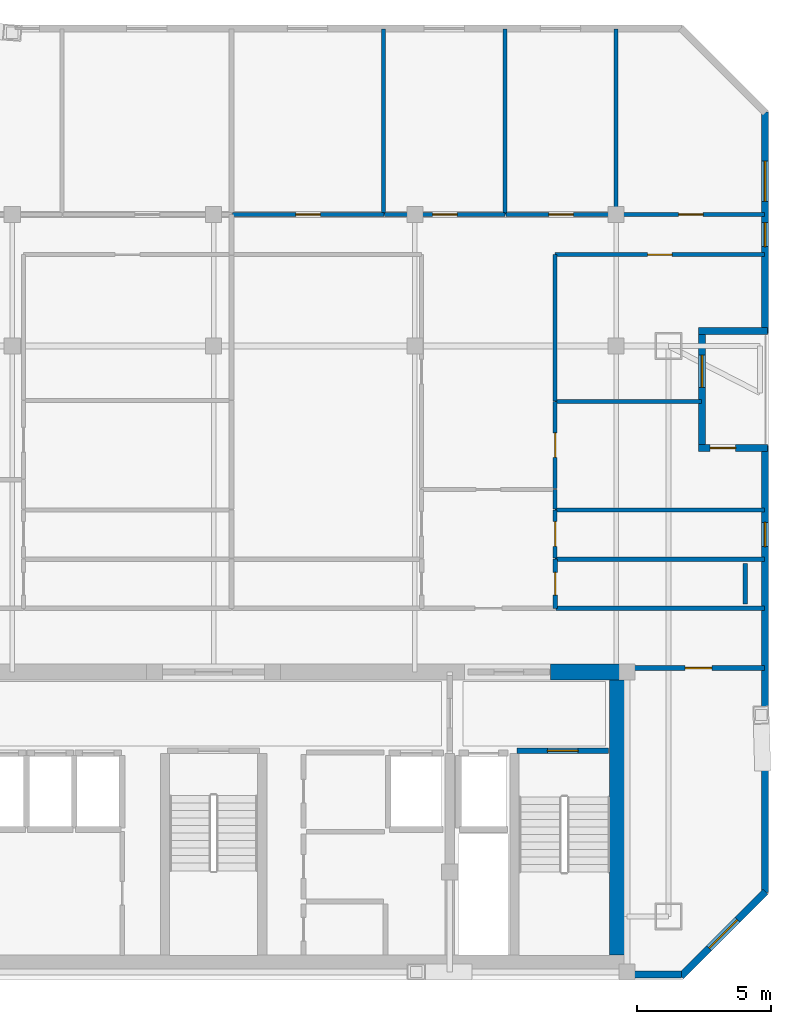
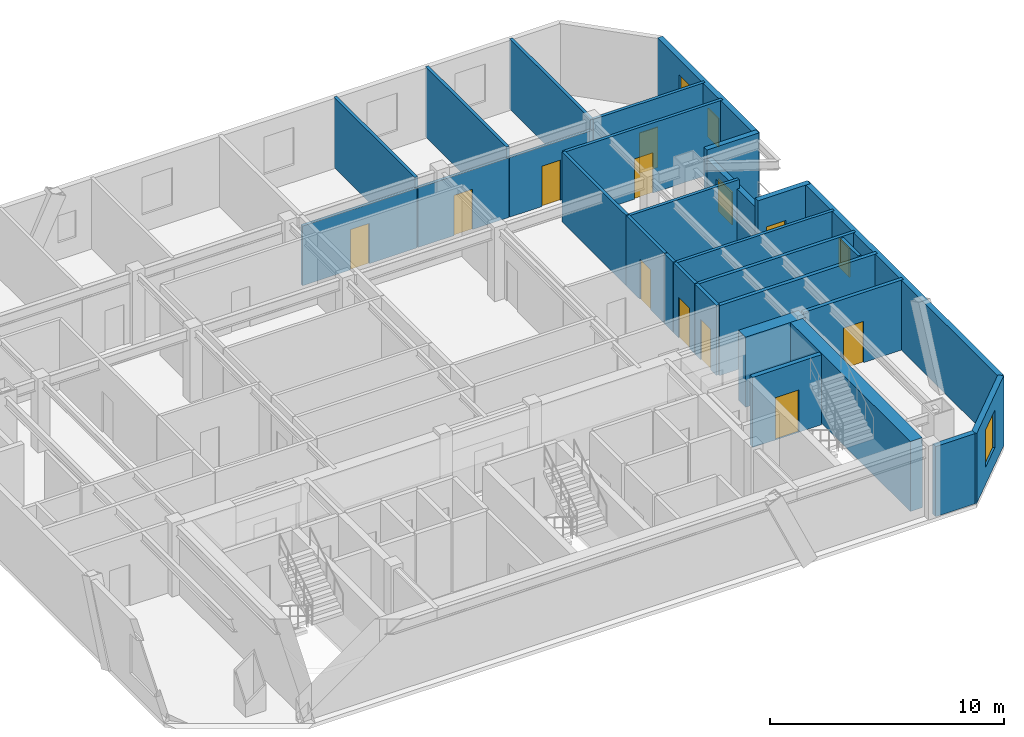
# One storey, part 5 of 7: 29 walls, 11 doors, 5 windows, 16 openings.
"""IFC4 building model written with IfcOpenShell, lengths in metres."""

import ifcopenshell
import ifcopenshell.guid

model = None  # the IFC model being written
_history = None  # IfcOwnerHistory: only IFC2X3 demands one
_inside = {}  # id of a spatial element -> (the spatial element, [elements in it])
_under = {}  # id of a project, library or spatial element -> (it, [spatial elements below it])
_declared = {}  # id of a project -> (the project, [libraries it declares])
_typed = {}  # id of a type object -> (the type object, [elements of that type])
_made_of = {}  # id of a material, layer set ... -> (it, [elements and type objects made of it])


def new_model(schema):
    """Start an empty IFC model of exactly this schema.

    Asked for "IFC4X3", IfcOpenShell would pick the latest addendum, in which some entities
    have other attributes; the version numbers below select the first issue.
    IFC2X3 requires an IfcOwnerHistory on every rooted entity: one is made here for all.
    """
    global model, _history
    if schema == "IFC4X3":
        model = ifcopenshell.file(schema_version=(4, 3, 0, 0))
    else:
        model = ifcopenshell.file(schema=schema)
    _inside.clear()
    _under.clear()
    _declared.clear()
    _typed.clear()
    _made_of.clear()
    _history = None
    if model.schema == "IFC2X3":
        org = make("IfcOrganization", Name="unknown")
        user = make(
            "IfcPersonAndOrganization",
            ThePerson=make("IfcPerson", FamilyName="unknown"),
            TheOrganization=org,
        )
        app = make(
            "IfcApplication",
            ApplicationDeveloper=org,
            Version="unknown",
            ApplicationFullName="unknown",
            ApplicationIdentifier="unknown",
        )
        _history = make(
            "IfcOwnerHistory",
            OwningUser=user,
            OwningApplication=app,
            ChangeAction="ADDED",
            CreationDate=0,
        )
    return model


def make(cls, **values):
    """One entity of the class cls with the attributes given. An attribute that is None is left unset."""
    return model.create_entity(
        cls, **{name: value for name, value in values.items() if value is not None}
    )


def rooted(cls, **values):
    """An entity with a GlobalId (a new one), such as an element, a storey or a relation."""
    return make(cls, GlobalId=ifcopenshell.guid.new(), OwnerHistory=_history, **values)


def si_unit(unit_type, name, prefix=None):
    """IfcSIUnit, for example si_unit("LENGTHUNIT", "METRE", prefix="MILLI")."""
    return make("IfcSIUnit", UnitType=unit_type, Prefix=prefix, Name=name)


def assignment(units):
    """IfcUnitAssignment: the units of a project."""
    return None if units is None else make("IfcUnitAssignment", Units=units)


def point(xyz):
    """IfcCartesianPoint."""
    return None if xyz is None else make("IfcCartesianPoint", Coordinates=xyz)


def direction(xyz):
    """IfcDirection."""
    return None if xyz is None else make("IfcDirection", DirectionRatios=xyz)


def frame(location, z_axis=None, x_axis=None):
    """IfcAxis2Placement3D, a coordinate frame: its origin and axes. An axis left out is left unset."""
    return make(
        "IfcAxis2Placement3D",
        Location=point(location),
        Axis=direction(z_axis),
        RefDirection=direction(x_axis),
    )


def frame_2d(location, x_axis=None):
    """IfcAxis2Placement2D, a coordinate frame in the plane: its origin and x axis."""
    return make(
        "IfcAxis2Placement2D", Location=point(location), RefDirection=direction(x_axis)
    )


def origin():
    """The frame at (0, 0, 0) with its axes left unset."""
    return frame((0.0, 0.0, 0.0))


def place(relative_to, where):
    """IfcLocalPlacement: puts the frame where relative to a parent placement (None: the world)."""
    return make(
        "IfcLocalPlacement", PlacementRelTo=relative_to, RelativePlacement=where
    )


def context(
    kind, dimensions, precision=None, world=None, true_north=None, identifier=None
):
    """IfcGeometricRepresentationContext, for example the 3D "Model" context."""
    return make(
        "IfcGeometricRepresentationContext",
        ContextIdentifier=identifier,
        ContextType=kind,
        CoordinateSpaceDimension=dimensions,
        Precision=precision,
        WorldCoordinateSystem=world,
        TrueNorth=true_north,
    )


def subcontext(parent, identifier, kind, view, scale=None):
    """IfcGeometricRepresentationSubContext, for example "Body" below "Model"."""
    return make(
        "IfcGeometricRepresentationSubContext",
        ContextIdentifier=identifier,
        ContextType=kind,
        ParentContext=parent,
        TargetScale=scale,
        TargetView=view,
    )


def project(units=None, contexts=None):
    """IfcProject with its units and contexts."""
    return rooted(
        "IfcProject",
        Name="project",
        RepresentationContexts=contexts,
        UnitsInContext=assignment(units),
    )


def spatial(cls, under=None, at=None, **own):
    """A site, building, storey or space (cls), placed at a placement, below another one or the project."""
    s = rooted(cls, ObjectPlacement=at, **own)
    if under is not None:
        _under.setdefault(under.id(), (under, []))[1].append(s)
    return s


def profile(cls, at=None, kind="AREA", **sizes):
    """A parametric profile (cls). Its sizes go by their IFC names, for example OverallWidth=200.0."""
    return make(cls, ProfileType=kind, Position=at, **sizes)


def rectangle(**sizes):
    """IfcRectangleProfileDef."""
    return profile("IfcRectangleProfileDef", **sizes)


def extrude(swept, where, along, depth):
    """IfcExtrudedAreaSolid: the profile swept, set in the frame where, extruded along a direction by depth."""
    return make(
        "IfcExtrudedAreaSolid",
        SweptArea=swept,
        Position=where,
        ExtrudedDirection=direction(along),
        Depth=depth,
    )


def shape(context_of_items, identifier, shape_type, items):
    """IfcShapeRepresentation: the items that make up one representation, for example the "Body"."""
    return make(
        "IfcShapeRepresentation",
        ContextOfItems=context_of_items,
        RepresentationIdentifier=identifier,
        RepresentationType=shape_type,
        Items=items,
    )


def material(Name=None, Category=None):
    """IfcMaterial."""
    return make("IfcMaterial", Name=Name, Category=Category)


def layer(
    of_material, thickness, ventilated=None, Name=None, Category=None, Priority=None
):
    """IfcMaterialLayer: one layer of a wall or slab, of a material (None: an air gap)."""
    return make(
        "IfcMaterialLayer",
        Material=of_material,
        LayerThickness=thickness,
        IsVentilated=ventilated,
        Name=Name,
        Category=Category,
        Priority=Priority,
    )


def layer_set(layers, Name=None):
    """IfcMaterialLayerSet."""
    return make("IfcMaterialLayerSet", MaterialLayers=layers, LayerSetName=Name)


def made_of(thing, what):
    """Note that an element or type object is made of a material, layer set ...; save() writes the relation."""
    if what is not None:
        _made_of.setdefault(what.id(), (what, []))[1].append(thing)
    return thing


def type_object(cls, material=None, **own):
    """A type object (cls), such as IfcWallType, which elements share."""
    return made_of(rooted(cls, **own), material)


def element(
    cls,
    number,
    at=None,
    inside=None,
    cuts=None,
    type_object=None,
    material=None,
    context=None,
    identifier="Body",
    shape_type=None,
    held_by="IfcProductDefinitionShape",
    body=None,
    shapes=None,
    **own,
):
    """One element of the class cls, such as IfcWall. Its Tag is "e" and its number.

    at: its placement. inside: the storey or other place that contains it. cuts: it is an
    opening in that element (IfcRelVoidsElement). A single representation is given by context,
    identifier, shape_type and body (its items); several are given by shapes. held_by: the class
    of the entity that holds the representations. save() writes the other relations.
    """
    e = rooted(cls, Tag="e%d" % number, ObjectPlacement=at, **own)
    if body is not None:
        shapes = [shape(context, identifier, shape_type, body)]
    if shapes is not None:
        e.Representation = make(held_by, Representations=shapes)
    if inside is not None:
        _inside.setdefault(inside.id(), (inside, []))[1].append(e)
    if cuts is not None:
        rooted(
            "IfcRelVoidsElement", RelatingBuildingElement=cuts, RelatedOpeningElement=e
        )
    if type_object is not None:
        _typed.setdefault(type_object.id(), (type_object, []))[1].append(e)
    return made_of(e, material)


def fill(opening, filler):
    """IfcRelFillsElement: the door or window that sits in an opening."""
    return rooted(
        "IfcRelFillsElement",
        RelatingOpeningElement=opening,
        RelatedBuildingElement=filler,
    )


def aggregate(whole, parts):
    """IfcRelAggregates: a whole, such as a stair, and the parts it consists of."""
    return rooted("IfcRelAggregates", RelatingObject=whole, RelatedObjects=parts)


def save(model, path):
    """Write the relations noted so far, then the file.

    IfcRelAggregates (storeys below a building ...), IfcRelContainedInSpatialStructure (elements
    in a storey), IfcRelDefinesByType, IfcRelAssociatesMaterial and IfcRelDeclares: one each for
    every whole, place, type object, material and project.
    """
    for whole, parts in _under.values():
        aggregate(whole, parts)
    for where, things in _inside.values():
        rooted(
            "IfcRelContainedInSpatialStructure",
            RelatedElements=things,
            RelatingStructure=where,
        )
    for kind, things in _typed.values():
        rooted("IfcRelDefinesByType", RelatedObjects=things, RelatingType=kind)
    for what, things in _made_of.values():
        rooted("IfcRelAssociatesMaterial", RelatedObjects=things, RelatingMaterial=what)
    for by, libraries in _declared.values():
        rooted("IfcRelDeclares", RelatingContext=by, RelatedDefinitions=libraries)
    model.write(path)


model = new_model("IFC4")

# Units and contexts
model_context = context("Model", 3, precision=1e-05, world=origin(), true_north=direction((0.0, 1.0)))
body_context = subcontext(model_context, "Body", "Model", "MODEL_VIEW")
ifc_project = project(units=[si_unit("LENGTHUNIT", "METRE"), si_unit("AREAUNIT", "SQUARE_METRE"), si_unit("VOLUMEUNIT", "CUBIC_METRE"), si_unit("PLANEANGLEUNIT", "RADIAN"), si_unit("MASSUNIT", "GRAM", prefix="KILO")], contexts=[model_context])

# Site, building, storey
site_placement = place(None, origin())
site = spatial("IfcSite", under=ifc_project, at=site_placement, CompositionType="ELEMENT")
building_placement = place(site_placement, origin())
building = spatial("IfcBuilding", under=site, at=building_placement, Name="Ventersveld Concourse Tower", CompositionType="ELEMENT")
storey_placement = place(building_placement, frame((0.0, 0.0, 264.449951171875)))
storey = spatial("IfcBuildingStorey", under=building, at=storey_placement, Name="L65", CompositionType="ELEMENT", Elevation=264.449951171875)

# Walls
ifc_material_1 = material(Name="Concrete C50/60", Category="concrete")
ifc_layer_1 = layer(ifc_material_1, 0.60009765625)
ifc_layer_set_1 = layer_set([ifc_layer_1], Name="Concrete C50/60")
wall_type_1 = type_object("IfcWallType", Name="WL-CORE-600", PredefinedType="SHEAR", material=ifc_layer_set_1)
wall_1_placement = place(storey_placement, frame((43.800048828125, 0.919921875, 0.0), z_axis=(0.0, 0.0, 1.0), x_axis=(0.0, 1.0, 0.0)))
element("IfcWall", 1, at=wall_1_placement, inside=storey, type_object=wall_type_1, Name="L65 Rear Core East Shear Wall", PredefinedType="SHEAR", context=body_context, shape_type="SweptSolid", body=[
    extrude(rectangle(XDim=10.530029296875, YDim=0.60009765625, at=frame_2d((5.26513671875, 0.0))), origin(), (0.0, 0.0, 1.0), 3.650146484375),
])
wall_2_placement = place(storey_placement, frame((41.300048828125, 11.449951171875, 0.0), z_axis=(0.0, 0.0, 1.0), x_axis=(1.0, 0.0, 0.0)))
element("IfcWall", 2, at=wall_2_placement, inside=storey, type_object=wall_type_1, Name="L65 Rear Core North Shear Wall NE", PredefinedType="SHEAR", context=body_context, shape_type="SweptSolid", body=[
    extrude(rectangle(XDim=2.949951171875, YDim=0.60009765625, at=frame_2d((1.47509765625, 0.0))), origin(), (0.0, 0.0, 1.0), 3.650146484375),
])

# Wall, opening, door
ifc_material_2 = material(Name="Fire-rated autoclaved aerated masonry blockwork", Category="masonry")
ifc_layer_2 = layer(ifc_material_2, 0.179931640625)
ifc_layer_set_2 = layer_set([ifc_layer_2], Name="Fire-rated autoclaved aerated masonry blockwork")
wall_type_2 = type_object("IfcWallType", Name="WL-CORR-180", PredefinedType="PARTITIONING", material=ifc_layer_set_2)
wall_3_placement = place(storey_placement, frame((44.35498046875, 11.60009765625, 0.0), z_axis=(0.0, 0.0, 1.0), x_axis=(1.0, 0.0, 0.0)))
wall_3 = element("IfcWall", 3, at=wall_3_placement, inside=storey, type_object=wall_type_2, Name="L65 Interior Partition SP-L65-SE-OFF-SP-L65-COR", PredefinedType="PARTITIONING", context=body_context, shape_type="SweptSolid", body=[
    extrude(rectangle(XDim=4.9267578125, YDim=0.179931640625, at=frame_2d((2.46337890625, 0.0))), origin(), (0.0, 0.0, 1.0), 3.650146484375),
])
opening_1_placement = place(wall_3_placement, frame((1.96337890625, 0.0, 0.0)))
opening_1 = element("IfcOpeningElement", 4, at=opening_1_placement, cuts=wall_3, Name="Opening FD3", PredefinedType="OPENING", context=body_context, shape_type="SweptSolid", body=[
    extrude(rectangle(XDim=1.0, YDim=2.14990234375, at=frame_2d((0.5, 1.074951171875))), frame((0.0, 0.10009765625, 0.0), z_axis=(0.0, -1.0, 0.0), x_axis=(1.0, 0.0, 0.0)), (0.0, 0.0, 1.0), 0.199951171875),
])
ifc_material_3 = material(Name="Solid-core hardwood veneer timber", Category="wood")
door_type_1 = type_object("IfcDoorType", Name="DR-FLAT-100", OperationType="NOTDEFINED", PredefinedType="DOOR", material=ifc_material_3)
door_1_placement = place(opening_1_placement, origin())
door_1 = element("IfcDoor", 5, at=door_1_placement, inside=storey, type_object=door_type_1, Name="L65 Interior Door SP-L65-SE-OFF to SP-L65-COR (D-L65-3063)", OperationType="SINGLE_SWING_LEFT", OverallHeight=2.14990234375, OverallWidth=1.0, PredefinedType="DOOR", context=body_context, shape_type="SweptSolid", body=[
    extrude(rectangle(XDim=1.0, YDim=2.14990234375, at=frame_2d((0.5, 1.074951171875))), frame((0.0, 0.02490234375, 0.0), z_axis=(0.0, -1.0, 0.0), x_axis=(1.0, 0.0, 0.0)), (0.0, 0.0, 1.0), 0.050048828125),
])
fill(opening_1, door_1)

# Wall
wall_4_placement = place(storey_placement, frame((41.514404296875, 13.830078125, 0.0), z_axis=(0.0, 0.0, 1.0), x_axis=(1.0, 0.0, 0.0)))
element("IfcWall", 6, at=wall_4_placement, inside=storey, type_object=wall_type_2, Name="L65 Interior Partition SP-L65-COR-SP-L65-65N2-PWDR1", PredefinedType="PARTITIONING", context=body_context, shape_type="SweptSolid", body=[
    extrude(rectangle(XDim=7.767333984375, YDim=0.179931640625, at=frame_2d((3.8837890625, 0.0))), origin(), (0.0, 0.0, 1.0), 3.650146484375),
])

# Wall, opening, door
ifc_layer_3 = layer(ifc_material_2, 0.219970703125)
ifc_layer_set_3 = layer_set([ifc_layer_3], Name="Fire-rated autoclaved aerated masonry blockwork")
wall_type_3 = type_object("IfcWallType", Name="WL-HOIST-220", PredefinedType="SOLIDWALL", material=ifc_layer_set_3)
wall_5_placement = place(storey_placement, frame((40.06005859375, 8.52001953125, 0.0), z_axis=(0.0, 0.0, 1.0), x_axis=(1.0, 0.0, 0.0)))
wall_5 = element("IfcWall", 7, at=wall_5_placement, inside=storey, type_object=wall_type_3, Name="L65 Escape Stair ST02 Fire Wall", PredefinedType="SOLIDWALL", context=body_context, shape_type="SweptSolid", body=[
    extrude(rectangle(XDim=3.39990234375, YDim=0.219970703125, at=frame_2d((1.699951171875, 0.0))), origin(), (0.0, 0.0, 1.0), 3.650146484375),
])
opening_2_placement = place(wall_5_placement, frame((1.125, 0.0, 0.0)))
opening_2 = element("IfcOpeningElement", 8, at=opening_2_placement, cuts=wall_5, Name="Opening FD1", PredefinedType="OPENING", context=body_context, shape_type="SweptSolid", body=[
    extrude(rectangle(XDim=1.14990234375, YDim=2.199951171875, at=frame_2d((0.574951171875, 1.10009765625))), frame((0.0, 0.1201171875, 0.0), z_axis=(0.0, -1.0, 0.0), x_axis=(1.0, 0.0, 0.0)), (0.0, 0.0, 1.0), 0.239990234375),
])
ifc_material_4 = material(Name="Galvanised painted steel", Category="steel")
door_type_2 = type_object("IfcDoorType", Name="DR-STAIR-115", OperationType="NOTDEFINED", PredefinedType="DOOR", material=ifc_material_4)
door_2_placement = place(opening_2_placement, origin())
door_2 = element("IfcDoor", 9, at=door_2_placement, inside=storey, type_object=door_type_2, Name="L65 Escape Stair Door ST02 (SD-L65-3051)", OperationType="SINGLE_SWING_RIGHT", OverallHeight=2.199951171875, OverallWidth=1.14990234375, PredefinedType="DOOR", context=body_context, shape_type="SweptSolid", body=[
    extrude(rectangle(XDim=1.14990234375, YDim=2.199951171875, at=frame_2d((0.574951171875, 1.10009765625))), frame((0.0, 0.02490234375, 0.0), z_axis=(0.0, -1.0, 0.0), x_axis=(1.0, 0.0, 0.0)), (0.0, 0.0, 1.0), 0.050048828125),
])
fill(opening_2, door_2)

ifc_material_5 = material(Name="Autoclaved aerated masonry blockwork", Category="masonry")
ifc_layer_4 = layer(ifc_material_5, 0.14990234375)
ifc_layer_set_4 = layer_set([ifc_layer_4], Name="Autoclaved aerated masonry blockwork")
wall_type_4 = type_object("IfcWallType", Name="WL-INT-150", PredefinedType="PARTITIONING", material=ifc_layer_set_4)
wall_6_placement = place(storey_placement, frame((41.479248046875, 15.695068359375, 0.0), z_axis=(0.0, 0.0, 1.0), x_axis=(0.0, 1.0, 0.0)))
wall_6 = element("IfcWall", 10, at=wall_6_placement, inside=storey, type_object=wall_type_4, Name="L65 Interior Partition SP-L65-65N2-FOY-SP-L65-65N2-KIT", PredefinedType="PARTITIONING", context=body_context, shape_type="SweptSolid", body=[
    extrude(rectangle(XDim=1.800048828125, YDim=0.14990234375, at=frame_2d((0.89990234375, 0.0))), origin(), (0.0, 0.0, 1.0), 3.650146484375),
])
opening_3_placement = place(wall_6_placement, frame((0.43994140625, 0.0, 0.0)))
opening_3 = element("IfcOpeningElement", 11, at=opening_3_placement, cuts=wall_6, Name="Opening ID1", PredefinedType="OPENING", context=body_context, shape_type="SweptSolid", body=[
    extrude(rectangle(XDim=0.919921875, YDim=2.10009765625, at=frame_2d((0.4599609375, 1.050048828125))), frame((0.0, 0.0849609375, 0.0), z_axis=(0.0, -1.0, 0.0), x_axis=(1.0, 0.0, 0.0)), (0.0, 0.0, 1.0), 0.169921875),
])
door_type_3 = type_object("IfcDoorType", Name="DR-ROOM-092", OperationType="NOTDEFINED", PredefinedType="DOOR", material=ifc_material_3)
door_3_placement = place(opening_3_placement, origin())
door_3 = element("IfcDoor", 12, at=door_3_placement, inside=storey, type_object=door_type_3, Name="L65 Interior Door SP-L65-65N2-FOY to SP-L65-65N2-KIT (D-L65-3082)", OperationType="SINGLE_SWING_RIGHT", OverallHeight=2.10009765625, OverallWidth=0.919921875, PredefinedType="DOOR", context=body_context, shape_type="SweptSolid", body=[
    extrude(rectangle(XDim=0.919921875, YDim=2.10009765625, at=frame_2d((0.4599609375, 1.050048828125))), frame((0.0, 0.02490234375, 0.0), z_axis=(0.0, -1.0, 0.0), x_axis=(1.0, 0.0, 0.0)), (0.0, 0.0, 1.0), 0.050048828125),
])
fill(opening_3, door_3)

# Wall
wall_7_placement = place(storey_placement, frame((41.479248046875, 17.52490234375, 0.0), z_axis=(0.0, 0.0, 1.0), x_axis=(0.0, 1.0, 0.0)))
element("IfcWall", 13, at=wall_7_placement, inside=storey, type_object=wall_type_4, Name="L65 Interior Partition SP-L65-65N2-FOY-SP-L65-65N2-DENR", PredefinedType="PARTITIONING", context=body_context, shape_type="SweptSolid", body=[
    extrude(rectangle(XDim=0.730712890625, YDim=0.14990234375, at=frame_2d((0.365234375, 0.0))), origin(), (0.0, 0.0, 1.0), 3.650146484375),
])

# Wall, opening, door
wall_8_placement = place(storey_placement, frame((41.479248046875, 18.28564453125, 0.0), z_axis=(0.0, 0.0, 1.0), x_axis=(0.0, 1.0, 0.0)))
wall_8 = element("IfcWall", 14, at=wall_8_placement, inside=storey, type_object=wall_type_4, Name="L65 Interior Partition SP-L65-65N2-LIV-SP-L65-65N2-DENR", PredefinedType="PARTITIONING", context=body_context, shape_type="SweptSolid", body=[
    extrude(rectangle(XDim=3.243896484375, YDim=0.14990234375, at=frame_2d((1.6220703125, 0.0))), origin(), (0.0, 0.0, 1.0), 3.650146484375),
])
opening_4_placement = place(wall_8_placement, frame((1.162109375, 0.0, 0.0)))
opening_4 = element("IfcOpeningElement", 15, at=opening_4_placement, cuts=wall_8, Name="Opening ID1", PredefinedType="OPENING", context=body_context, shape_type="SweptSolid", body=[
    extrude(rectangle(XDim=0.919921875, YDim=2.10009765625, at=frame_2d((0.4599609375, 1.050048828125))), frame((0.0, 0.0849609375, 0.0), z_axis=(0.0, -1.0, 0.0), x_axis=(1.0, 0.0, 0.0)), (0.0, 0.0, 1.0), 0.169921875),
])
door_4_placement = place(opening_4_placement, origin())
door_4 = element("IfcDoor", 16, at=door_4_placement, inside=storey, type_object=door_type_3, Name="L65 Interior Door SP-L65-65N2-LIV to SP-L65-65N2-DENR (D-L65-3084)", OperationType="SINGLE_SWING_RIGHT", OverallHeight=2.10009765625, OverallWidth=0.919921875, PredefinedType="DOOR", context=body_context, shape_type="SweptSolid", body=[
    extrude(rectangle(XDim=0.919921875, YDim=2.10009765625, at=frame_2d((0.4599609375, 1.050048828125))), frame((0.0, 0.02490234375, 0.0), z_axis=(0.0, -1.0, 0.0), x_axis=(1.0, 0.0, 0.0)), (0.0, 0.0, 1.0), 0.050048828125),
])
fill(opening_4, door_4)

wall_9_placement = place(storey_placement, frame((41.474365234375, 27.0, 0.0), z_axis=(0.0, 0.0, 1.0), x_axis=(1.0, 0.0, 0.0)))
wall_9 = element("IfcWall", 17, at=wall_9_placement, inside=storey, type_object=wall_type_4, Name="L65 Interior Partition SP-L65-65N2-LIV-SP-L65-65N2-DENS2", PredefinedType="PARTITIONING", context=body_context, shape_type="SweptSolid", body=[
    extrude(rectangle(XDim=7.807373046875, YDim=0.14990234375, at=frame_2d((3.90380859375, 0.0))), origin(), (0.0, 0.0, 1.0), 3.650146484375),
])
opening_5_placement = place(wall_9_placement, frame((3.443603515625, 0.0, 0.0)))
opening_5 = element("IfcOpeningElement", 18, at=opening_5_placement, cuts=wall_9, Name="Opening ID1", PredefinedType="OPENING", context=body_context, shape_type="SweptSolid", body=[
    extrude(rectangle(XDim=0.919921875, YDim=2.10009765625, at=frame_2d((0.4599609375, 1.050048828125))), frame((0.0, 0.0849609375, 0.0), z_axis=(0.0, -1.0, 0.0), x_axis=(1.0, 0.0, 0.0)), (0.0, 0.0, 1.0), 0.169921875),
])
door_5_placement = place(opening_5_placement, origin())
door_5 = element("IfcDoor", 19, at=door_5_placement, inside=storey, type_object=door_type_3, Name="L65 Interior Door SP-L65-65N2-LIV to SP-L65-65N2-DENS2 (D-L65-3085)", OperationType="SINGLE_SWING_LEFT", OverallHeight=2.10009765625, OverallWidth=0.919921875, PredefinedType="DOOR", context=body_context, shape_type="SweptSolid", body=[
    extrude(rectangle(XDim=0.919921875, YDim=2.10009765625, at=frame_2d((0.4599609375, 1.050048828125))), frame((0.0, 0.02490234375, 0.0), z_axis=(0.0, -1.0, 0.0), x_axis=(1.0, 0.0, 0.0)), (0.0, 0.0, 1.0), 0.050048828125),
])
fill(opening_5, door_5)

# Wall
wall_10_placement = place(storey_placement, frame((41.479248046875, 21.5595703125, 0.0), z_axis=(0.0, 0.0, 1.0), x_axis=(0.0, 1.0, 0.0)))
element("IfcWall", 20, at=wall_10_placement, inside=storey, type_object=wall_type_4, Name="L65 Interior Partition SP-L65-65N2-LIV-SP-L65-65N2-DENS2", PredefinedType="PARTITIONING", context=body_context, shape_type="SweptSolid", body=[
    extrude(rectangle(XDim=5.4453125, YDim=0.14990234375, at=frame_2d((2.72265625, 0.0))), origin(), (0.0, 0.0, 1.0), 3.650146484375),
])

# Wall, opening, door
wall_11_placement = place(storey_placement, frame((29.45166015625, 28.5, 0.0), z_axis=(0.0, 0.0, 1.0), x_axis=(1.0, 0.0, 0.0)))
wall_11 = element("IfcWall", 21, at=wall_11_placement, inside=storey, type_object=wall_type_4, Name="L65 Interior Partition SP-L65-65N2-LIV-SP-L65-65N2-BR1", PredefinedType="PARTITIONING", context=body_context, shape_type="SweptSolid", body=[
    extrude(rectangle(XDim=5.6435546875, YDim=0.14990234375, at=frame_2d((2.82177734375, 0.0))), origin(), (0.0, 0.0, 1.0), 3.10546875),
])
opening_6_placement = place(wall_11_placement, frame((2.36181640625, 0.0, 0.0)))
opening_6 = element("IfcOpeningElement", 22, at=opening_6_placement, cuts=wall_11, Name="Opening ID1", PredefinedType="OPENING", context=body_context, shape_type="SweptSolid", body=[
    extrude(rectangle(XDim=0.919921875, YDim=2.10009765625, at=frame_2d((0.4599609375, 1.050048828125))), frame((0.0, 0.0849609375, 0.0), z_axis=(0.0, -1.0, 0.0), x_axis=(1.0, 0.0, 0.0)), (0.0, 0.0, 1.0), 0.169921875),
])
door_6_placement = place(opening_6_placement, origin())
door_6 = element("IfcDoor", 23, at=door_6_placement, inside=storey, type_object=door_type_3, Name="L65 Interior Door SP-L65-65N2-LIV to SP-L65-65N2-BR1 (D-L65-3086)", OperationType="SINGLE_SWING_RIGHT", OverallHeight=2.10009765625, OverallWidth=0.919921875, PredefinedType="DOOR", context=body_context, shape_type="SweptSolid", body=[
    extrude(rectangle(XDim=0.919921875, YDim=2.10009765625, at=frame_2d((0.4599609375, 1.050048828125))), frame((0.0, 0.02490234375, 0.0), z_axis=(0.0, -1.0, 0.0), x_axis=(1.0, 0.0, 0.0)), (0.0, 0.0, 1.0), 0.050048828125),
])
fill(opening_6, door_6)

wall_12_placement = place(storey_placement, frame((35.125244140625, 28.5, 0.0), z_axis=(0.0, 0.0, 1.0), x_axis=(1.0, 0.0, 0.0)))
wall_12 = element("IfcWall", 24, at=wall_12_placement, inside=storey, type_object=wall_type_4, Name="L65 Interior Partition SP-L65-65N2-LIV-SP-L65-65N2-BR2", PredefinedType="PARTITIONING", context=body_context, shape_type="SweptSolid", body=[
    extrude(rectangle(XDim=4.487060546875, YDim=0.14990234375, at=frame_2d((2.24365234375, 0.0))), origin(), (0.0, 0.0, 1.0), 3.10546875),
])
opening_7_placement = place(wall_12_placement, frame((1.783447265625, 0.0, 0.0)))
opening_7 = element("IfcOpeningElement", 25, at=opening_7_placement, cuts=wall_12, Name="Opening ID1", PredefinedType="OPENING", context=body_context, shape_type="SweptSolid", body=[
    extrude(rectangle(XDim=0.919921875, YDim=2.10009765625, at=frame_2d((0.4599609375, 1.050048828125))), frame((0.0, 0.0849609375, 0.0), z_axis=(0.0, -1.0, 0.0), x_axis=(1.0, 0.0, 0.0)), (0.0, 0.0, 1.0), 0.169921875),
])
door_7_placement = place(opening_7_placement, origin())
door_7 = element("IfcDoor", 26, at=door_7_placement, inside=storey, type_object=door_type_3, Name="L65 Interior Door SP-L65-65N2-LIV to SP-L65-65N2-BR2 (D-L65-3087)", OperationType="SINGLE_SWING_LEFT", OverallHeight=2.10009765625, OverallWidth=0.919921875, PredefinedType="DOOR", context=body_context, shape_type="SweptSolid", body=[
    extrude(rectangle(XDim=0.919921875, YDim=2.10009765625, at=frame_2d((0.4599609375, 1.050048828125))), frame((0.0, 0.02490234375, 0.0), z_axis=(0.0, -1.0, 0.0), x_axis=(1.0, 0.0, 0.0)), (0.0, 0.0, 1.0), 0.050048828125),
])
fill(opening_7, door_7)

wall_13_placement = place(storey_placement, frame((39.64208984375, 28.5, 0.0), z_axis=(0.0, 0.0, 1.0), x_axis=(1.0, 0.0, 0.0)))
wall_13 = element("IfcWall", 27, at=wall_13_placement, inside=storey, type_object=wall_type_4, Name="L65 Interior Partition SP-L65-65N2-LIV-SP-L65-65N2-BR3", PredefinedType="PARTITIONING", context=body_context, shape_type="SweptSolid", body=[
    extrude(rectangle(XDim=4.11279296875, YDim=0.14990234375, at=frame_2d((2.056396484375, 0.0))), origin(), (0.0, 0.0, 1.0), 3.10546875),
])
opening_8_placement = place(wall_13_placement, frame((1.596435546875, 0.0, 0.0)))
opening_8 = element("IfcOpeningElement", 28, at=opening_8_placement, cuts=wall_13, Name="Opening ID1", PredefinedType="OPENING", context=body_context, shape_type="SweptSolid", body=[
    extrude(rectangle(XDim=0.919921875, YDim=2.10009765625, at=frame_2d((0.4599609375, 1.050048828125))), frame((0.0, 0.0849609375, 0.0), z_axis=(0.0, -1.0, 0.0), x_axis=(1.0, 0.0, 0.0)), (0.0, 0.0, 1.0), 0.169921875),
])
door_8_placement = place(opening_8_placement, origin())
door_8 = element("IfcDoor", 29, at=door_8_placement, inside=storey, type_object=door_type_3, Name="L65 Interior Door SP-L65-65N2-LIV to SP-L65-65N2-BR3 (D-L65-3088)", OperationType="SINGLE_SWING_RIGHT", OverallHeight=2.10009765625, OverallWidth=0.919921875, PredefinedType="DOOR", context=body_context, shape_type="SweptSolid", body=[
    extrude(rectangle(XDim=0.919921875, YDim=2.10009765625, at=frame_2d((0.4599609375, 1.050048828125))), frame((0.0, 0.02490234375, 0.0), z_axis=(0.0, -1.0, 0.0), x_axis=(1.0, 0.0, 0.0)), (0.0, 0.0, 1.0), 0.050048828125),
])
fill(opening_8, door_8)

wall_14_placement = place(storey_placement, frame((43.784912109375, 28.5, 0.0), z_axis=(0.0, 0.0, 1.0), x_axis=(1.0, 0.0, 0.0)))
wall_14 = element("IfcWall", 30, at=wall_14_placement, inside=storey, type_object=wall_type_4, Name="L65 Interior Partition SP-L65-65N2-LIV-SP-L65-65N2-BR4", PredefinedType="PARTITIONING", context=body_context, shape_type="SweptSolid", body=[
    extrude(rectangle(XDim=5.496826171875, YDim=0.14990234375, at=frame_2d((2.74853515625, 0.0))), origin(), (0.0, 0.0, 1.0), 3.650146484375),
])
opening_9_placement = place(wall_14_placement, frame((2.288330078125, 0.0, 0.0)))
opening_9 = element("IfcOpeningElement", 31, at=opening_9_placement, cuts=wall_14, Name="Opening ID1", PredefinedType="OPENING", context=body_context, shape_type="SweptSolid", body=[
    extrude(rectangle(XDim=0.919921875, YDim=2.10009765625, at=frame_2d((0.4599609375, 1.050048828125))), frame((0.0, 0.0849609375, 0.0), z_axis=(0.0, -1.0, 0.0), x_axis=(1.0, 0.0, 0.0)), (0.0, 0.0, 1.0), 0.169921875),
])
door_9_placement = place(opening_9_placement, origin())
door_9 = element("IfcDoor", 32, at=door_9_placement, inside=storey, type_object=door_type_3, Name="L65 Interior Door SP-L65-65N2-LIV to SP-L65-65N2-BR4 (D-L65-3089)", OperationType="SINGLE_SWING_LEFT", OverallHeight=2.10009765625, OverallWidth=0.919921875, PredefinedType="DOOR", context=body_context, shape_type="SweptSolid", body=[
    extrude(rectangle(XDim=0.919921875, YDim=2.10009765625, at=frame_2d((0.4599609375, 1.050048828125))), frame((0.0, 0.02490234375, 0.0), z_axis=(0.0, -1.0, 0.0), x_axis=(1.0, 0.0, 0.0)), (0.0, 0.0, 1.0), 0.050048828125),
])
fill(opening_9, door_9)

# Walls
wall_15_placement = place(storey_placement, frame((41.474365234375, 17.489990234375, 0.0), z_axis=(0.0, 0.0, 1.0), x_axis=(1.0, 0.0, 0.0)))
element("IfcWall", 33, at=wall_15_placement, inside=storey, type_object=wall_type_4, Name="L65 Interior Partition SP-L65-65N2-KIT-SP-L65-65N2-DENR", PredefinedType="PARTITIONING", context=body_context, shape_type="SweptSolid", body=[
    extrude(rectangle(XDim=7.807373046875, YDim=0.14990234375, at=frame_2d((3.90380859375, 0.0))), origin(), (0.0, 0.0, 1.0), 3.650146484375),
])
wall_16_placement = place(storey_placement, frame((41.474365234375, 21.524658203125, 0.0), z_axis=(0.0, 0.0, 1.0), x_axis=(1.0, 0.0, 0.0)))
element("IfcWall", 34, at=wall_16_placement, inside=storey, type_object=wall_type_4, Name="L65 Interior Partition SP-L65-65N2-DENR-SP-L65-65N2-DENS2", PredefinedType="PARTITIONING", context=body_context, shape_type="SweptSolid", body=[
    extrude(rectangle(XDim=5.457275390625, YDim=0.14990234375, at=frame_2d((2.728515625, 0.0))), origin(), (0.0, 0.0, 1.0), 3.650146484375),
])
for number, where, z_axis, x_axis, name in (
    (35, (35.090087890625, 28.4951171875, 0.0), (0.0, 0.0, 1.0), (0.0, 1.0, 0.0), "L65 Interior Partition SP-L65-65N2-BR1-SP-L65-65N2-BR2"),
    (36, (39.607177734375, 28.4951171875, 0.0), (0.0, 0.0, 1.0), (0.0, 1.0, 0.0), "L65 Interior Partition SP-L65-65N2-BR2-SP-L65-65N2-BR3"),
    (37, (43.75, 28.4951171875, 0.0), (0.0, 0.0, 1.0), (0.0, 1.0, 0.0), "L65 Interior Partition SP-L65-65N2-BR3-SP-L65-65N2-BR4"),
):
    element("IfcWall", number, at=place(storey_placement, frame(where, z_axis=z_axis, x_axis=x_axis)), inside=storey, type_object=wall_type_4, Name=name, PredefinedType="PARTITIONING", context=body_context, shape_type="SweptSolid", body=[
        extrude(rectangle(XDim=6.910400390625, YDim=0.14990234375, at=frame_2d((3.455078125, 0.0))), origin(), (0.0, 0.0, 1.0), 3.650146484375),
    ])
ifc_material_6 = material(Name="Precast concrete C45/55", Category="concrete")
ifc_layer_5 = layer(ifc_material_6, 0.260009765625)
ifc_layer_set_5 = layer_set([ifc_layer_5], Name="Precast concrete C45/55")
wall_type_5 = type_object("IfcWallType", Name="WL-PREC-260", PredefinedType="SOLIDWALL", material=ifc_layer_set_5)
wall_17_placement = place(storey_placement, frame((44.25, 0.179931640625, 0.0), z_axis=(0.0, 0.0, 1.0), x_axis=(1.0, 0.0, 0.0)))
element("IfcWall", 38, at=wall_17_placement, inside=storey, type_object=wall_type_5, Name="L65 South-East Flank Precast Wall", PredefinedType="SOLIDWALL", context=body_context, shape_type="SweptSolid", body=[
    extrude(rectangle(XDim=1.941162109375, YDim=0.260009765625, at=frame_2d((0.970703125, 0.0))), origin(), (0.0, 0.0, 1.0), 3.650146484375),
])

# Wall, opening, window
wall_18_placement = place(storey_placement, frame((46.16748046875, 0.1201171875, 0.0), z_axis=(0.0, 0.0, 1.0), x_axis=(0.707106781187, 0.707106781187, 0.0)))
wall_18 = element("IfcWall", 39, at=wall_18_placement, inside=storey, type_object=wall_type_5, Name="L65 Highveld Precast Facade Wall E02", PredefinedType="SOLIDWALL", context=body_context, shape_type="SweptSolid", body=[
    extrude(rectangle(XDim=4.445556640625, YDim=0.260009765625, at=frame_2d((2.22265625, 0.0))), origin(), (0.0, 0.0, 1.0), 3.650146484375),
])
opening_10_placement = place(wall_18_placement, frame((1.47265625, 0.0, 0.89990234375)))
opening_10 = element("IfcOpeningElement", 40, at=opening_10_placement, cuts=wall_18, Name="Opening W1", PredefinedType="OPENING", context=body_context, shape_type="SweptSolid", body=[
    extrude(rectangle(XDim=1.5, YDim=1.949951171875, at=frame_2d((0.75, 0.97509765625))), frame((0.0, 0.14013671875, 0.0), z_axis=(0.0, -1.0, 0.0), x_axis=(1.0, 0.0, 0.0)), (0.0, 0.0, 1.0), 0.280029296875),
])
ifc_material_7 = material(Name="Tempered acoustic Low-E IGU", Category="glass")
window_type_1 = type_object("IfcWindowType", Name="WIN-150x210", PartitioningType="SINGLE_PANEL", PredefinedType="WINDOW", material=ifc_material_7)
window_1_placement = place(opening_10_placement, origin())
window_1 = element("IfcWindow", 41, at=window_1_placement, inside=storey, type_object=window_type_1, Name="L65 Punched Low-E Window W-0922", OverallHeight=1.949951171875, OverallWidth=1.5, PartitioningType="SINGLE_PANEL", PredefinedType="WINDOW", context=body_context, shape_type="SweptSolid", body=[
    extrude(rectangle(XDim=1.5, YDim=1.949951171875, at=frame_2d((0.75, 0.97509765625))), frame((0.0, 0.030029296875, 0.0), z_axis=(0.0, -1.0, 0.0), x_axis=(1.0, 0.0, 0.0)), (0.0, 0.0, 1.0), 0.06005859375),
])
fill(opening_10, window_1)

wall_19_placement = place(storey_placement, frame((49.30126953125, 3.239990234375, 0.0), z_axis=(0.0, 0.0, 1.0), x_axis=(0.0, 1.0, 0.0)))
wall_19 = element("IfcWall", 42, at=wall_19_placement, inside=storey, type_object=wall_type_5, Name="L65 Highveld Precast Facade Wall E03", PredefinedType="SOLIDWALL", context=body_context, shape_type="SweptSolid", body=[
    extrude(rectangle(XDim=16.6474609375, YDim=0.260009765625, at=frame_2d((8.32373046875, 0.0))), origin(), (0.0, 0.0, 1.0), 3.650146484375),
])
opening_11_placement = place(wall_19_placement, frame((12.885009765625, 0.0, 0.949951171875)))
opening_11 = element("IfcOpeningElement", 43, at=opening_11_placement, cuts=wall_19, Name="Opening W4", PredefinedType="OPENING", context=body_context, shape_type="SweptSolid", body=[
    extrude(rectangle(XDim=0.89990234375, YDim=1.5, at=frame_2d((0.449951171875, 0.75))), frame((0.0, 0.14013671875, 0.0), z_axis=(0.0, -1.0, 0.0), x_axis=(1.0, 0.0, 0.0)), (0.0, 0.0, 1.0), 0.280029296875),
])
window_type_2 = type_object("IfcWindowType", Name="WIN-090x150", PartitioningType="SINGLE_PANEL", PredefinedType="WINDOW", material=ifc_material_7)
window_2_placement = place(opening_11_placement, origin())
window_2 = element("IfcWindow", 44, at=window_2_placement, inside=storey, type_object=window_type_2, Name="L65 Punched Low-E Window W-0929", OverallHeight=1.5, OverallWidth=0.89990234375, PartitioningType="SINGLE_PANEL", PredefinedType="WINDOW", context=body_context, shape_type="SweptSolid", body=[
    extrude(rectangle(XDim=0.89990234375, YDim=1.5, at=frame_2d((0.449951171875, 0.75))), frame((0.0, 0.030029296875, 0.0), z_axis=(0.0, -1.0, 0.0), x_axis=(1.0, 0.0, 0.0)), (0.0, 0.0, 1.0), 0.06005859375),
])
fill(opening_11, window_2)

# Wall, opening, door
wall_20_placement = place(storey_placement, frame((49.39111328125, 19.797607421875, 0.0), z_axis=(0.0, 0.0, 1.0), x_axis=(-1.0, 0.0, 0.0)))
wall_20 = element("IfcWall", 45, at=wall_20_placement, inside=storey, type_object=wall_type_5, Name="L65 Highveld Precast Facade Wall E04", PredefinedType="SOLIDWALL", context=body_context, shape_type="SweptSolid", body=[
    extrude(rectangle(XDim=2.56982421875, YDim=0.260009765625, at=frame_2d((1.284912109375, 0.0))), origin(), (0.0, 0.0, 1.0), 3.650146484375),
])
opening_12_placement = place(wall_20_placement, frame((1.195556640625, 0.0, 0.0)))
opening_12 = element("IfcOpeningElement", 46, at=opening_12_placement, cuts=wall_20, Name="Opening TD2", PredefinedType="OPENING", context=body_context, shape_type="SweptSolid", body=[
    extrude(rectangle(XDim=0.949951171875, YDim=2.14990234375, at=frame_2d((0.47509765625, 1.074951171875))), frame((0.0, 0.14013671875, 0.0), z_axis=(0.0, -1.0, 0.0), x_axis=(1.0, 0.0, 0.0)), (0.0, 0.0, 1.0), 0.280029296875),
])
ifc_material_8 = material(Name="Anodised aluminium EN AW-6063-T6", Category="aluminium")
door_type_4 = type_object("IfcDoorType", Name="DR-TERR-095", OperationType="NOTDEFINED", PredefinedType="DOOR", material=ifc_material_8)
door_10_placement = place(opening_12_placement, frame((0.949951171875, 0.0, 0.0), z_axis=(0.0, 0.0, 1.0), x_axis=(-1.0, 0.0, 0.0)))
door_10 = element("IfcDoor", 47, at=door_10_placement, inside=storey, type_object=door_type_4, Name="L65 Stepped Valley Terrace Door TD-L65-02", OperationType="SINGLE_SWING_LEFT", OverallHeight=2.14990234375, OverallWidth=0.949951171875, PredefinedType="DOOR", context=body_context, shape_type="SweptSolid", body=[
    extrude(rectangle(XDim=0.949951171875, YDim=2.14990234375, at=frame_2d((0.47509765625, 1.074951171875))), frame((0.0, 0.02490234375, 0.0), z_axis=(0.0, -1.0, 0.0), x_axis=(1.0, 0.0, 0.0)), (0.0, 0.0, 1.0), 0.050048828125),
])
fill(opening_12, door_10)

# Wall, opening, window
wall_21_placement = place(storey_placement, frame((46.951171875, 19.927490234375, 0.0), z_axis=(0.0, 0.0, 1.0), x_axis=(0.0, 1.0, 0.0)))
wall_21 = element("IfcWall", 48, at=wall_21_placement, inside=storey, type_object=wall_type_5, Name="L65 Highveld Precast Facade Wall E05", PredefinedType="SOLIDWALL", context=body_context, shape_type="SweptSolid", body=[
    extrude(rectangle(XDim=4.10009765625, YDim=0.260009765625, at=frame_2d((2.050048828125, 0.0))), origin(), (0.0, 0.0, 1.0), 3.18994140625),
])
opening_13_placement = place(wall_21_placement, frame((2.1298828125, 0.0, 0.89990234375)))
opening_13 = element("IfcOpeningElement", 49, at=opening_13_placement, cuts=wall_21, Name="Opening W3", PredefinedType="OPENING", context=body_context, shape_type="SweptSolid", body=[
    extrude(rectangle(XDim=1.199951171875, YDim=1.699951171875, at=frame_2d((0.60009765625, 0.85009765625))), frame((0.0, 0.14013671875, 0.0), z_axis=(0.0, -1.0, 0.0), x_axis=(1.0, 0.0, 0.0)), (0.0, 0.0, 1.0), 0.280029296875),
])
window_type_3 = type_object("IfcWindowType", Name="WIN-120x180", PartitioningType="SINGLE_PANEL", PredefinedType="WINDOW", material=ifc_material_7)
window_3_placement = place(opening_13_placement, origin())
window_3 = element("IfcWindow", 50, at=window_3_placement, inside=storey, type_object=window_type_3, Name="L65 Punched Low-E Window W-0930", OverallHeight=1.699951171875, OverallWidth=1.199951171875, PartitioningType="SINGLE_PANEL", PredefinedType="WINDOW", context=body_context, shape_type="SweptSolid", body=[
    extrude(rectangle(XDim=1.199951171875, YDim=1.699951171875, at=frame_2d((0.60009765625, 0.85009765625))), frame((0.0, 0.030029296875, 0.0), z_axis=(0.0, -1.0, 0.0), x_axis=(1.0, 0.0, 0.0)), (0.0, 0.0, 1.0), 0.06005859375),
])
fill(opening_13, window_3)

# Wall
wall_22_placement = place(storey_placement, frame((46.8212890625, 24.157470703125, 0.0), z_axis=(0.0, 0.0, 1.0), x_axis=(1.0, 0.0, 0.0)))
element("IfcWall", 51, at=wall_22_placement, inside=storey, type_object=wall_type_5, Name="L65 Highveld Precast Facade Wall E06", PredefinedType="SOLIDWALL", context=body_context, shape_type="SweptSolid", body=[
    extrude(rectangle(XDim=2.56982421875, YDim=0.260009765625, at=frame_2d((1.284912109375, 0.0))), origin(), (0.0, 0.0, 1.0), 3.650146484375),
])

# Wall, openings, windows
wall_23_placement = place(storey_placement, frame((49.30126953125, 24.0673828125, 0.0), z_axis=(0.0, 0.0, 1.0), x_axis=(0.0, 1.0, 0.0)))
wall_23 = element("IfcWall", 52, at=wall_23_placement, inside=storey, type_object=wall_type_5, Name="L65 Highveld Precast Facade Wall E07", PredefinedType="SOLIDWALL", context=body_context, shape_type="SweptSolid", body=[
    extrude(rectangle(XDim=8.24755859375, YDim=0.260009765625, at=frame_2d((4.123779296875, 0.0))), origin(), (0.0, 0.0, 1.0), 3.650146484375),
])
opening_14_placement = place(wall_23_placement, frame((3.232421875, 0.0, 0.949951171875)))
opening_14 = element("IfcOpeningElement", 53, at=opening_14_placement, cuts=wall_23, Name="Opening W4", PredefinedType="OPENING", context=body_context, shape_type="SweptSolid", body=[
    extrude(rectangle(XDim=0.89990234375, YDim=1.5, at=frame_2d((0.449951171875, 0.75))), frame((0.0, 0.14013671875, 0.0), z_axis=(0.0, -1.0, 0.0), x_axis=(1.0, 0.0, 0.0)), (0.0, 0.0, 1.0), 0.280029296875),
])
opening_15_placement = place(wall_23_placement, frame((4.9248046875, 0.0, 0.89990234375)))
opening_15 = element("IfcOpeningElement", 54, at=opening_15_placement, cuts=wall_23, Name="Opening W1", PredefinedType="OPENING", context=body_context, shape_type="SweptSolid", body=[
    extrude(rectangle(XDim=1.5, YDim=1.949951171875, at=frame_2d((0.75, 0.97509765625))), frame((0.0, 0.14013671875, 0.0), z_axis=(0.0, -1.0, 0.0), x_axis=(1.0, 0.0, 0.0)), (0.0, 0.0, 1.0), 0.280029296875),
])
window_4_placement = place(opening_14_placement, origin())
window_4 = element("IfcWindow", 55, at=window_4_placement, inside=storey, type_object=window_type_2, Name="L65 Punched Low-E Window W-0928", OverallHeight=1.5, OverallWidth=0.89990234375, PartitioningType="SINGLE_PANEL", PredefinedType="WINDOW", context=body_context, shape_type="SweptSolid", body=[
    extrude(rectangle(XDim=0.89990234375, YDim=1.5, at=frame_2d((0.449951171875, 0.75))), frame((0.0, 0.030029296875, 0.0), z_axis=(0.0, -1.0, 0.0), x_axis=(1.0, 0.0, 0.0)), (0.0, 0.0, 1.0), 0.06005859375),
])
fill(opening_14, window_4)
window_5_placement = place(opening_15_placement, origin())
window_5 = element("IfcWindow", 56, at=window_5_placement, inside=storey, type_object=window_type_1, Name="L65 Punched Low-E Window W-0934", OverallHeight=1.949951171875, OverallWidth=1.5, PartitioningType="SINGLE_PANEL", PredefinedType="WINDOW", context=body_context, shape_type="SweptSolid", body=[
    extrude(rectangle(XDim=1.5, YDim=1.949951171875, at=frame_2d((0.75, 0.97509765625))), frame((0.0, 0.030029296875, 0.0), z_axis=(0.0, -1.0, 0.0), x_axis=(1.0, 0.0, 0.0)), (0.0, 0.0, 1.0), 0.06005859375),
])
fill(opening_15, window_5)

# Wall, opening, door
ifc_layer_6 = layer(ifc_material_5, 0.1650390625)
ifc_layer_set_6 = layer_set([ifc_layer_6], Name="Autoclaved aerated masonry blockwork")
wall_type_6 = type_object("IfcWallType", Name="WL-WET-165", PredefinedType="PLUMBINGWALL", material=ifc_layer_set_6)
wall_24_placement = place(storey_placement, frame((41.479248046875, 13.824951171875, 0.0), z_axis=(0.0, 0.0, 1.0), x_axis=(0.0, 1.0, 0.0)))
wall_24 = element("IfcWall", 57, at=wall_24_placement, inside=storey, type_object=wall_type_6, Name="L65 Interior Partition SP-L65-65N2-FOY-SP-L65-65N2-PWDR1", PredefinedType="PLUMBINGWALL", context=body_context, shape_type="SweptSolid", body=[
    extrude(rectangle(XDim=1.840087890625, YDim=0.1650390625, at=frame_2d((0.919921875, 0.0))), origin(), (0.0, 0.0, 1.0), 3.650146484375),
])
opening_16_placement = place(wall_24_placement, frame((0.4951171875, 0.0, 0.0)))
opening_16 = element("IfcOpeningElement", 58, at=opening_16_placement, cuts=wall_24, Name="Opening ID2", PredefinedType="OPENING", context=body_context, shape_type="SweptSolid", body=[
    extrude(rectangle(XDim=0.85009765625, YDim=2.10009765625, at=frame_2d((0.425048828125, 1.050048828125))), frame((0.0, 0.092529296875, 0.0), z_axis=(0.0, -1.0, 0.0), x_axis=(1.0, 0.0, 0.0)), (0.0, 0.0, 1.0), 0.18505859375),
])
door_type_5 = type_object("IfcDoorType", Name="DR-BATH-085", OperationType="NOTDEFINED", PredefinedType="DOOR", material=ifc_material_3)
door_11_placement = place(opening_16_placement, origin())
door_11 = element("IfcDoor", 59, at=door_11_placement, inside=storey, type_object=door_type_5, Name="L65 Interior Door SP-L65-65N2-FOY to SP-L65-65N2-PWDR1 (D-L65-3081)", OperationType="SINGLE_SWING_LEFT", OverallHeight=2.10009765625, OverallWidth=0.85009765625, PredefinedType="DOOR", context=body_context, shape_type="SweptSolid", body=[
    extrude(rectangle(XDim=0.85009765625, YDim=2.10009765625, at=frame_2d((0.425048828125, 1.050048828125))), frame((0.0, 0.02490234375, 0.0), z_axis=(0.0, -1.0, 0.0), x_axis=(1.0, 0.0, 0.0)), (0.0, 0.0, 1.0), 0.050048828125),
])
fill(opening_16, door_11)

# Walls
wall_25_placement = place(storey_placement, frame((41.474365234375, 15.659912109375, 0.0), z_axis=(0.0, 0.0, 1.0), x_axis=(1.0, 0.0, 0.0)))
element("IfcWall", 60, at=wall_25_placement, inside=storey, type_object=wall_type_6, Name="L65 Interior Partition SP-L65-65N2-PWDR1-SP-L65-65N2-KIT", PredefinedType="PLUMBINGWALL", context=body_context, shape_type="SweptSolid", body=[
    extrude(rectangle(XDim=7.807373046875, YDim=0.1650390625, at=frame_2d((3.90380859375, 0.0))), origin(), (0.0, 0.0, 1.0), 3.650146484375),
])
wall_26_placement = place(storey_placement, frame((48.55126953125, 15.4951171875, 0.0), z_axis=(0.0, 0.0, 1.0), x_axis=(0.0, -1.0, 0.0)))
element("IfcWall", 61, at=wall_26_placement, inside=storey, type_object=wall_type_6, Name="L65 Room Enclosure Wall SP-L65-65N2-PWDR1", PredefinedType="PLUMBINGWALL", context=body_context, shape_type="SweptSolid", body=[
    extrude(rectangle(XDim=1.5, YDim=0.1650390625, at=frame_2d((0.75, 0.0))), origin(), (0.0, 0.0, 1.0), 3.650146484375),
])

save(model, "model.ifc")
